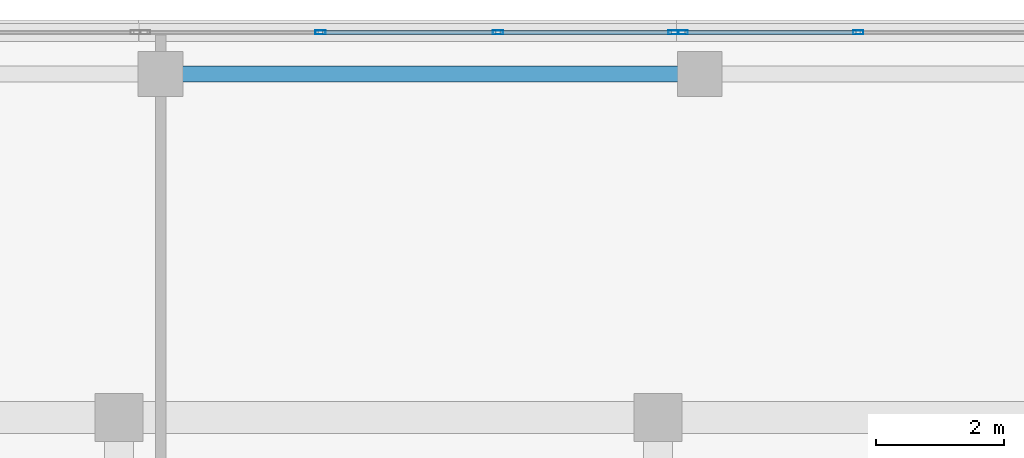
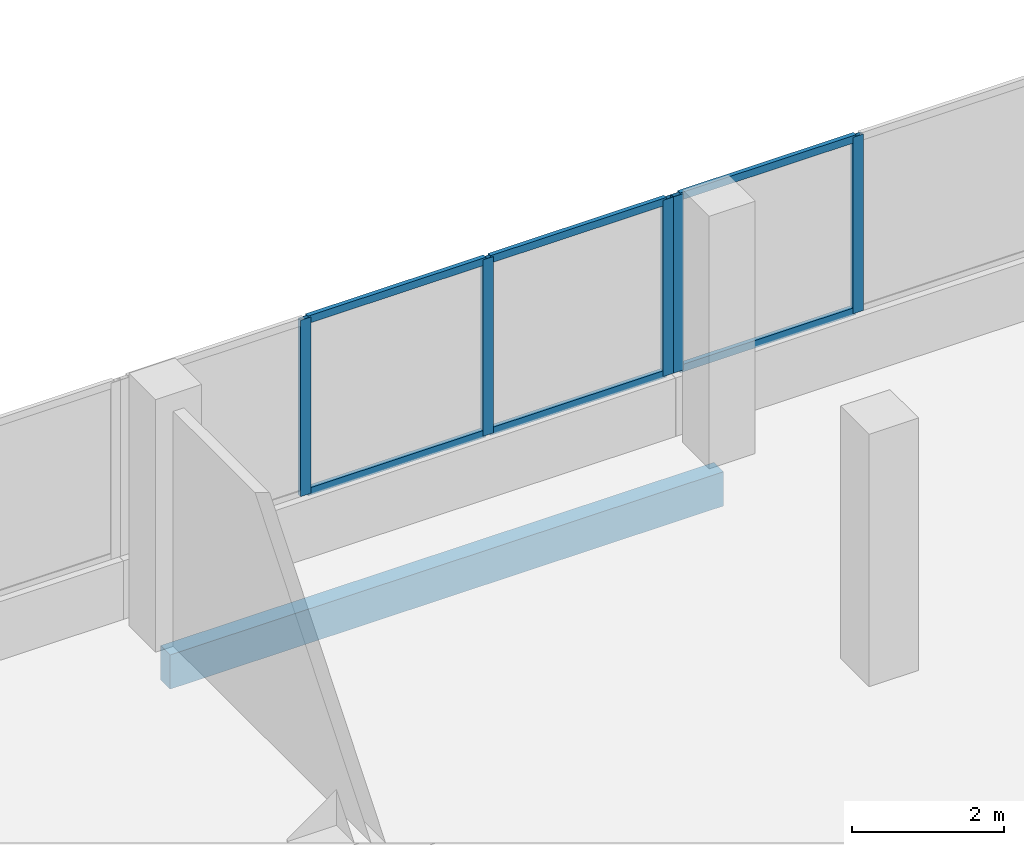
# One storey, part 70 of 101: 11 members, 1 beam, 2 elements without a shape of their own.
"""IFC4 building model written with IfcOpenShell, lengths in metres."""

from ifc_helpers import new_model, si_unit, direction, frame, origin, origin_2d, place, context, subcontext, project, spatial, rectangle, hollow_rectangle, extrude, material, material_profile, profile_set, type_object, element, aggregate, save


model = new_model("IFC4")

# Units and contexts
model_context = context("Model", 3, precision=1e-05, world=origin(), true_north=direction((0.0, 1.0)))
body_context = subcontext(model_context, "Body", "Model", "MODEL_VIEW")
ifc_project = project(units=[si_unit("LENGTHUNIT", "METRE"), si_unit("AREAUNIT", "SQUARE_METRE"), si_unit("VOLUMEUNIT", "CUBIC_METRE"), si_unit("PLANEANGLEUNIT", "RADIAN"), si_unit("MASSUNIT", "GRAM", prefix="KILO")], contexts=[model_context])

# Site, building, storey
site_placement = place(None, origin())
site = spatial("IfcSite", under=ifc_project, at=site_placement, CompositionType="ELEMENT")
building_placement = place(site_placement, origin())
building = spatial("IfcBuilding", under=site, at=building_placement, Name="Selatvlak General Hospital", CompositionType="ELEMENT")
storey_placement = place(building_placement, frame((0.0, 0.0, 19.199951171875)))
storey = spatial("IfcBuildingStorey", under=building, at=storey_placement, Name="L04", CompositionType="ELEMENT", Elevation=19.199951171875)

# Beam
ifc_material_1 = material(Name="Concrete C40/50", Category="concrete")
ifc_material_profile_1 = material_profile(ifc_material_1, rectangle(XDim=0.25, YDim=0.550048828125, at=origin_2d()), Name="RC-SP 250x550")
ifc_profile_set_1 = profile_set([ifc_material_profile_1], Name="Concrete C40/50")
beam_type = type_object("IfcBeamType", Name="BM-SP2", PredefinedType="SPANDREL", material=ifc_profile_set_1)
beam_placement = place(storey_placement, frame((157.199951171875, 119.35009765625, -0.579833984375), z_axis=(1.0, 0.0, 0.0), x_axis=(0.0, 1.0, 0.0)))
element("IfcBeam", 1, at=beam_placement, inside=storey, type_object=beam_type, Name="Beam BMR-L04-1640", PredefinedType="SPANDREL", context=body_context, shape_type="SweptSolid", body=[
    extrude(rectangle(XDim=0.25, YDim=0.550048828125, at=origin_2d()), origin(), (0.0, 0.0, 1.0), 8.400146484375),
])

# Curtain wall, members
ifc_material_2 = material(Name="Solar-control Low-E double glazing", Category="glass")
curtain_wall_type_1 = type_object("IfcCurtainWallType", Name="CW-CW-01", PredefinedType="USERDEFINED", material=ifc_material_2)
curtain_wall_1_placement = place(storey_placement, origin())
curtain_wall_1 = element("IfcCurtainWall", 2, at=curtain_wall_1_placement, inside=storey, type_object=curtain_wall_type_1, Name="Glazed facade curtain wall CW-L04-0497", ObjectType="UNITISED CURTAIN WALL", PredefinedType="USERDEFINED")
ifc_material_3 = material(Name="Dark anodised aluminium mullion", Category="aluminium")
ifc_material_profile_2 = material_profile(ifc_material_3, hollow_rectangle(XDim=0.06494140625, YDim=0.159912109375, WallThickness=0.00390625, at=origin_2d()), Name="AL-MUL 65x160x4")
ifc_profile_set_2 = profile_set([ifc_material_profile_2], Name="Dark anodised aluminium mullion")
member_type_1 = type_object("IfcMemberType", Name="CWM-01", PredefinedType="MULLION", material=ifc_profile_set_2)
member_1_placement = place(storey_placement, frame((159.690673828125, 120.0, 0.93994140625), z_axis=(0.0, 0.0, 1.0), x_axis=(0.0, 1.0, 0.0)))
member_1 = element("IfcMember", 3, at=member_1_placement, type_object=member_type_1, Name="CW-01 mullion 2", PredefinedType="MULLION", context=body_context, shape_type="SweptSolid", body=[
    extrude(hollow_rectangle(XDim=0.06494140625, YDim=0.159912109375, WallThickness=0.00390625, at=origin_2d()), origin(), (0.0, 0.0, 1.0), 2.830078125),
])
member_2_placement = place(storey_placement, frame((162.457275390625, 120.0, 0.93994140625), z_axis=(0.0, 0.0, 1.0), x_axis=(0.0, 1.0, 0.0)))
member_2 = element("IfcMember", 4, at=member_2_placement, type_object=member_type_1, Name="CW-01 mullion 3", PredefinedType="MULLION", context=body_context, shape_type="SweptSolid", body=[
    extrude(hollow_rectangle(XDim=0.06494140625, YDim=0.159912109375, WallThickness=0.00390625, at=origin_2d()), origin(), (0.0, 0.0, 1.0), 2.830078125),
])
member_3_placement = place(storey_placement, frame((165.19140625, 120.0, 0.93994140625), z_axis=(0.0, 0.0, 1.0), x_axis=(0.0, 1.0, 0.0)))
member_3 = element("IfcMember", 5, at=member_3_placement, type_object=member_type_1, Name="CW-01 mullion 4", PredefinedType="MULLION", context=body_context, shape_type="SweptSolid", body=[
    extrude(hollow_rectangle(XDim=0.06494140625, YDim=0.159912109375, WallThickness=0.00390625, at=origin_2d()), origin(), (0.0, 0.0, 1.0), 2.830078125),
])

curtain_wall_type_2 = type_object("IfcCurtainWallType", Name="CW-CW-02", PredefinedType="USERDEFINED", material=ifc_material_2)
curtain_wall_2_placement = place(storey_placement, origin())
curtain_wall_2 = element("IfcCurtainWall", 6, at=curtain_wall_2_placement, inside=storey, type_object=curtain_wall_type_2, Name="Glazed facade curtain wall CW-L04-0498", ObjectType="UNITISED CURTAIN WALL", PredefinedType="USERDEFINED")
member_4_placement = place(storey_placement, frame((165.33642578125, 120.0, 0.93994140625), z_axis=(0.0, 0.0, 1.0), x_axis=(0.0, 1.0, 0.0)))
member_4 = element("IfcMember", 7, at=member_4_placement, type_object=member_type_1, Name="CW-02 mullion 1", PredefinedType="MULLION", context=body_context, shape_type="SweptSolid", body=[
    extrude(hollow_rectangle(XDim=0.06494140625, YDim=0.159912109375, WallThickness=0.00390625, at=origin_2d()), origin(), (0.0, 0.0, 1.0), 2.830078125),
])
member_5_placement = place(storey_placement, frame((168.070556640625, 120.0, 0.93994140625), z_axis=(0.0, 0.0, 1.0), x_axis=(0.0, 1.0, 0.0)))
member_5 = element("IfcMember", 8, at=member_5_placement, type_object=member_type_1, Name="CW-02 mullion 2", PredefinedType="MULLION", context=body_context, shape_type="SweptSolid", body=[
    extrude(hollow_rectangle(XDim=0.06494140625, YDim=0.159912109375, WallThickness=0.00390625, at=origin_2d()), origin(), (0.0, 0.0, 1.0), 2.830078125),
])

# Member
ifc_material_profile_3 = material_profile(ifc_material_3, hollow_rectangle(XDim=0.06494140625, YDim=0.1201171875, WallThickness=0.00390625, at=origin_2d()), Name="AL-TRN 65x120x4")
ifc_profile_set_3 = profile_set([ifc_material_profile_3], Name="Dark anodised aluminium mullion")
member_type_2 = type_object("IfcMemberType", Name="CWT-01", PredefinedType="USERDEFINED", material=ifc_profile_set_3)
member_6_placement = place(storey_placement, frame((159.72314453125, 120.0, 0.97265625), z_axis=(1.0, 0.0, 0.0), x_axis=(0.0, 1.0, 0.0)))
member_6 = element("IfcMember", 9, at=member_6_placement, type_object=member_type_2, Name="CW-01 transom 2.1", ObjectType="TRANSOM", PredefinedType="USERDEFINED", context=body_context, shape_type="SweptSolid", body=[
    extrude(hollow_rectangle(XDim=0.06494140625, YDim=0.1201171875, WallThickness=0.00390625, at=origin_2d()), origin(), (0.0, 0.0, 1.0), 2.70166015625),
])

member_7_placement = place(storey_placement, frame((159.72314453125, 120.0, 3.737548828125), z_axis=(1.0, 0.0, 0.0), x_axis=(0.0, 1.0, 0.0)))
member_7 = element("IfcMember", 10, at=member_7_placement, type_object=member_type_2, Name="CW-01 transom 2.2", ObjectType="TRANSOM", PredefinedType="USERDEFINED", context=body_context, shape_type="SweptSolid", body=[
    extrude(hollow_rectangle(XDim=0.06494140625, YDim=0.1201171875, WallThickness=0.00390625, at=origin_2d()), origin(), (0.0, 0.0, 1.0), 2.70166015625),
])

member_8_placement = place(storey_placement, frame((162.48974609375, 120.0, 0.97265625), z_axis=(1.0, 0.0, 0.0), x_axis=(0.0, 1.0, 0.0)))
member_8 = element("IfcMember", 11, at=member_8_placement, type_object=member_type_2, Name="CW-01 transom 3.1", ObjectType="TRANSOM", PredefinedType="USERDEFINED", context=body_context, shape_type="SweptSolid", body=[
    extrude(hollow_rectangle(XDim=0.06494140625, YDim=0.1201171875, WallThickness=0.00390625, at=origin_2d()), origin(), (0.0, 0.0, 1.0), 2.669189453125),
])

member_9_placement = place(storey_placement, frame((162.48974609375, 120.0, 3.737548828125), z_axis=(1.0, 0.0, 0.0), x_axis=(0.0, 1.0, 0.0)))
member_9 = element("IfcMember", 12, at=member_9_placement, type_object=member_type_2, Name="CW-01 transom 3.2", ObjectType="TRANSOM", PredefinedType="USERDEFINED", context=body_context, shape_type="SweptSolid", body=[
    extrude(hollow_rectangle(XDim=0.06494140625, YDim=0.1201171875, WallThickness=0.00390625, at=origin_2d()), origin(), (0.0, 0.0, 1.0), 2.669189453125),
])

aggregate(curtain_wall_1, [member_1, member_2, member_3, member_6, member_7, member_8, member_9])

member_10_placement = place(storey_placement, frame((165.368896484375, 120.0, 0.97265625), z_axis=(1.0, 0.0, 0.0), x_axis=(0.0, 1.0, 0.0)))
member_10 = element("IfcMember", 13, at=member_10_placement, type_object=member_type_2, Name="CW-02 transom 1.1", ObjectType="TRANSOM", PredefinedType="USERDEFINED", context=body_context, shape_type="SweptSolid", body=[
    extrude(hollow_rectangle(XDim=0.06494140625, YDim=0.1201171875, WallThickness=0.00390625, at=origin_2d()), origin(), (0.0, 0.0, 1.0), 2.669189453125),
])

member_11_placement = place(storey_placement, frame((165.368896484375, 120.0, 3.737548828125), z_axis=(1.0, 0.0, 0.0), x_axis=(0.0, 1.0, 0.0)))
member_11 = element("IfcMember", 14, at=member_11_placement, type_object=member_type_2, Name="CW-02 transom 1.2", ObjectType="TRANSOM", PredefinedType="USERDEFINED", context=body_context, shape_type="SweptSolid", body=[
    extrude(hollow_rectangle(XDim=0.06494140625, YDim=0.1201171875, WallThickness=0.00390625, at=origin_2d()), origin(), (0.0, 0.0, 1.0), 2.669189453125),
])

aggregate(curtain_wall_2, [member_4, member_5, member_10, member_11])

save(model, "model.ifc")
